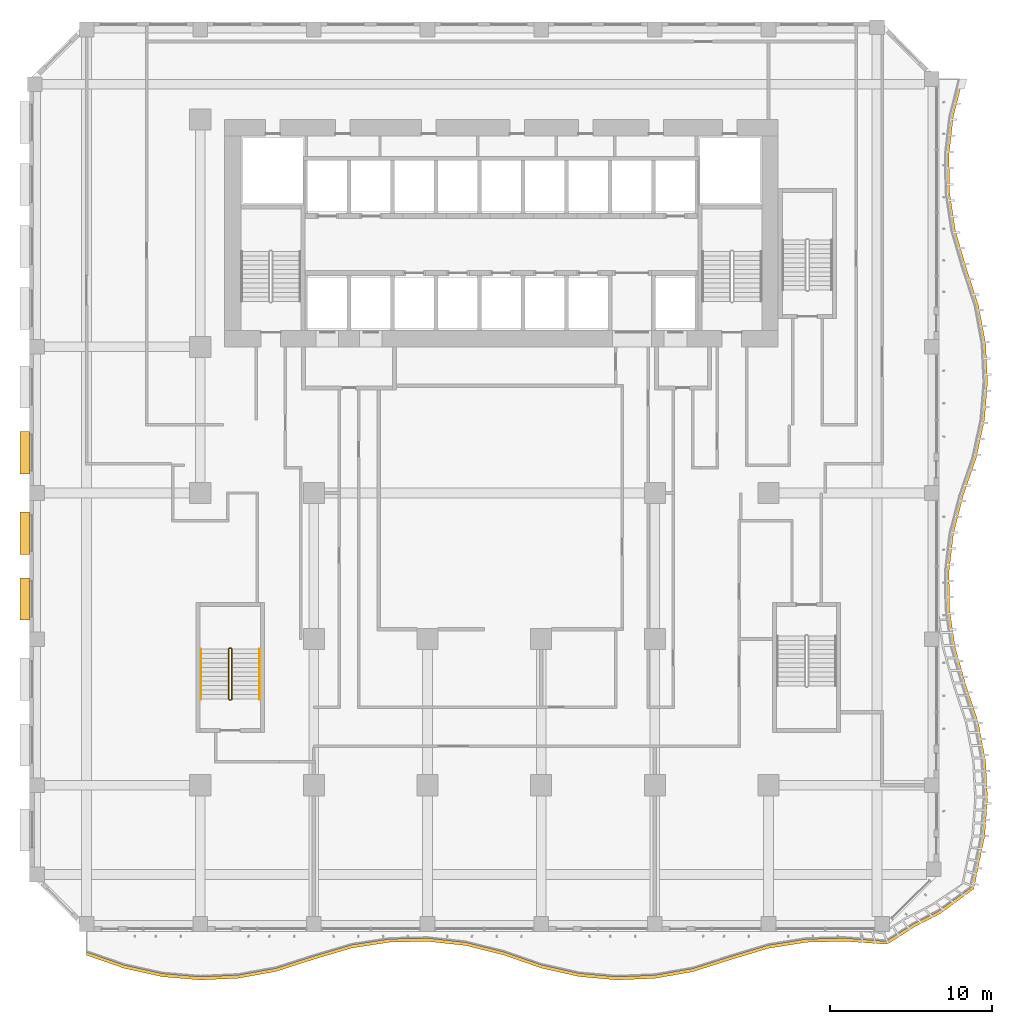
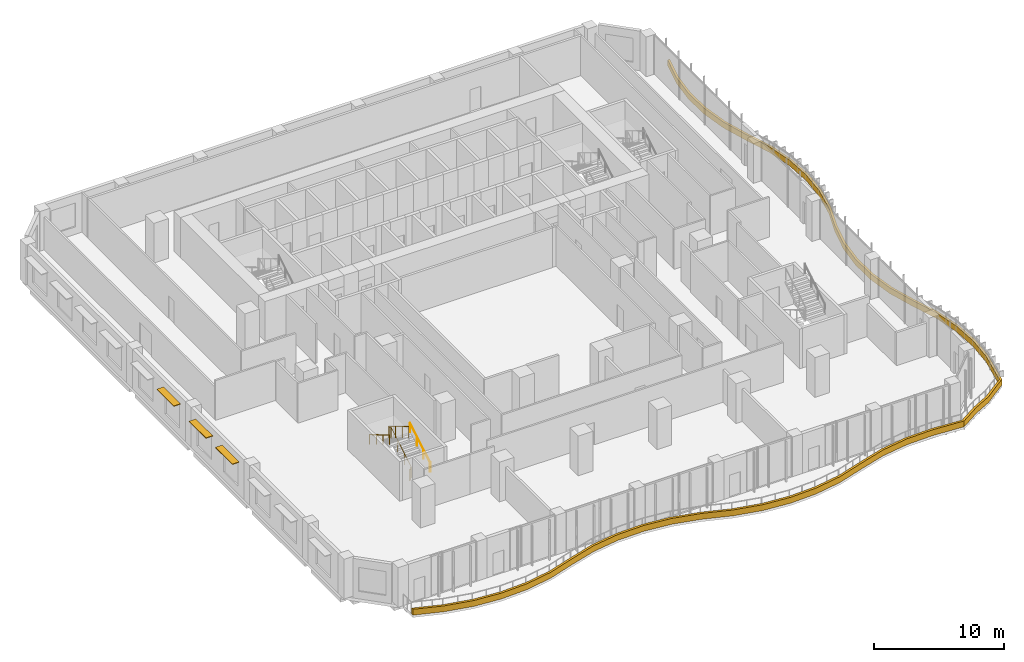
# One storey, part 20 of 27: 4 shading devices, 3 railings.
"""IFC4 building model written with IfcOpenShell, lengths in metres."""

from ifc_helpers import new_model, si_unit, direction, frame, origin, origin_2d, place, context, subcontext, project, spatial, polyline, rectangle, circle, outline, extrude, source, transform, mapped, material, layer, layer_set, type_object, element, save


model = new_model("IFC4")

# Units and contexts
model_context = context("Model", 3, precision=1e-05, world=origin(), true_north=direction((0.0, 1.0)))
body_context = subcontext(model_context, "Body", "Model", "MODEL_VIEW")
ifc_project = project(units=[si_unit("LENGTHUNIT", "METRE"), si_unit("AREAUNIT", "SQUARE_METRE"), si_unit("VOLUMEUNIT", "CUBIC_METRE"), si_unit("PLANEANGLEUNIT", "RADIAN"), si_unit("MASSUNIT", "GRAM", prefix="KILO")], contexts=[model_context])

# Site, building, storey
site_placement = place(None, origin())
site = spatial("IfcSite", under=ifc_project, at=site_placement, CompositionType="ELEMENT")
building_placement = place(site_placement, origin())
building = spatial("IfcBuilding", under=site, at=building_placement, Name="Kilnfold Tower and Market Hall", CompositionType="ELEMENT")
storey_placement = place(building_placement, frame((0.0, 0.0, 47.0)))
storey = spatial("IfcBuildingStorey", under=building, at=storey_placement, Name="L10", CompositionType="ELEMENT", Elevation=47.0)

# Railings
ifc_material_1 = material(Name="Stainless steel 316", Category="steel")
railing_type_1 = type_object("IfcRailingType", Name="CORE STAIR GUARD 1100", PredefinedType="GUARDRAIL", material=ifc_material_1)
railing_1_placement = place(storey_placement, frame((-15.699951171875, -13.75, 0.0)))
element("IfcRailing", 1, at=railing_1_placement, inside=storey, type_object=railing_type_1, Name="L10 ST3 stair guard 1", PredefinedType="GUARDRAIL", context=body_context, shape_type="SweptSolid", body=[
    extrude(circle(Radius=0.02392578125, at=origin_2d()), frame((0.0, 0.0, 1.076171875), z_axis=(1.0, 0.0, 0.0), x_axis=(0.0, 1.0, 0.0)), (0.0, 0.0, 1.0), 0.099853515625),
    extrude(circle(Radius=0.02392578125, at=origin_2d()), frame((0.099853515625, 0.0, 1.076171875), z_axis=(0.27628659633, 0.27628659633, 0.920506074601), x_axis=(-0.707106781187, 0.707106781187, 0.0)), (0.0, 0.0, 1.0), 0.18115234375),
    extrude(circle(Radius=0.02392578125, at=origin_2d()), frame((0.14990234375, 0.050048828125, 1.24267578125), z_axis=(0.0, 0.859290745958, 0.51148745235), x_axis=(-1.0, 0.0, 0.0)), (0.0, 0.0, 1.0), 3.584228515625),
    extrude(circle(Radius=0.02392578125, at=origin_2d()), frame((0.14990234375, 3.1298828125, 3.076171875), z_axis=(-0.707106781187, 0.707106781187, 0.0), x_axis=(-0.707106781187, -0.707106781187, 0.0)), (0.0, 0.0, 1.0), 0.07080078125),
    extrude(circle(Radius=0.02392578125, at=origin_2d()), frame((0.099853515625, 3.179931640625, 3.076171875), z_axis=(-1.0, 0.0, 0.0), x_axis=(0.0, -1.0, 0.0)), (0.0, 0.0, 1.0), 0.099853515625),
    extrude(circle(Radius=0.02392578125, at=origin_2d()), frame((0.0, 3.179931640625, 3.076171875), z_axis=(-0.27628659633, -0.27628659633, 0.920506074601), x_axis=(0.707106781187, -0.707106781187, 0.0)), (0.0, 0.0, 1.0), 0.18115234375),
    extrude(circle(Radius=0.02392578125, at=origin_2d()), frame((-0.050048828125, 3.1298828125, 3.24267578125), z_axis=(0.0, -0.859290745958, 0.51148745235), x_axis=(1.0, 0.0, 0.0)), (0.0, 0.0, 1.0), 3.584228515625),
    extrude(circle(Radius=0.02099609375, at=origin_2d()), origin(), (0.0, 0.0, 1.0), 1.052001953125),
    extrude(circle(Radius=0.02099609375, at=origin_2d()), frame((0.099853515625, 0.0, 0.0)), (0.0, 0.0, 1.0), 1.052001953125),
    extrude(circle(Radius=0.02099609375, at=origin_2d()), frame((0.14990234375, 0.050048828125, 0.166748046875)), (0.0, 0.0, 1.0), 1.052001953125),
    extrude(circle(Radius=0.02099609375, at=origin_2d()), frame((0.14990234375, 1.07666015625, 0.77783203125)), (0.0, 0.0, 1.0), 1.052001953125),
    extrude(circle(Radius=0.02099609375, at=origin_2d()), frame((0.14990234375, 2.103271484375, 1.388916015625)), (0.0, 0.0, 1.0), 1.052001953125),
    extrude(circle(Radius=0.02099609375, at=origin_2d()), frame((0.14990234375, 3.1298828125, 2.0)), (0.0, 0.0, 1.0), 1.052001953125),
    extrude(circle(Radius=0.02099609375, at=origin_2d()), frame((0.099853515625, 3.179931640625, 2.0)), (0.0, 0.0, 1.0), 1.052001953125),
    extrude(circle(Radius=0.02099609375, at=origin_2d()), frame((0.0, 3.179931640625, 2.0)), (0.0, 0.0, 1.0), 1.052001953125),
    extrude(circle(Radius=0.02099609375, at=origin_2d()), frame((-0.050048828125, 3.1298828125, 2.166748046875)), (0.0, 0.0, 1.0), 1.052001953125),
    extrude(circle(Radius=0.02099609375, at=origin_2d()), frame((-0.050048828125, 2.103271484375, 2.77783203125)), (0.0, 0.0, 1.0), 1.052001953125),
    extrude(circle(Radius=0.02099609375, at=origin_2d()), frame((-0.050048828125, 1.07666015625, 3.388916015625)), (0.0, 0.0, 1.0), 1.052001953125),
    extrude(circle(Radius=0.02099609375, at=origin_2d()), frame((-0.050048828125, 0.050048828125, 4.0)), (0.0, 0.0, 1.0), 1.052001953125),
])
ifc_material_2 = material(Name="Stainless steel 316", Category="steel")
railing_type_2 = type_object("IfcRailingType", Name="CORE STAIR HANDRAIL 900", PredefinedType="HANDRAIL", material=ifc_material_2)
railing_2_placement = place(storey_placement, frame((-13.85009765625, -13.699951171875, 0.166748046875)))
element("IfcRailing", 2, at=railing_2_placement, inside=storey, type_object=railing_type_2, Name="L10 ST3 stair handrail 1", PredefinedType="HANDRAIL", context=body_context, shape_type="SweptSolid", body=[
    extrude(circle(Radius=0.02392578125, at=origin_2d()), frame((0.0, 0.0, 0.8759765625), z_axis=(0.0, 0.859290745958, 0.51148745235), x_axis=(-1.0, 0.0, 0.0)), (0.0, 0.0, 1.0), 3.584228515625),
    extrude(circle(Radius=0.02099609375, at=origin_2d()), origin(), (0.0, 0.0, 1.0), 0.851806640625),
    extrude(circle(Radius=0.02099609375, at=origin_2d()), frame((0.0, 1.026611328125, 0.611083984375)), (0.0, 0.0, 1.0), 0.851806640625),
    extrude(circle(Radius=0.02099609375, at=origin_2d()), frame((0.0, 2.05322265625, 1.22216796875)), (0.0, 0.0, 1.0), 0.851806640625),
    extrude(circle(Radius=0.02099609375, at=origin_2d()), frame((0.0, 3.079833984375, 1.833251953125)), (0.0, 0.0, 1.0), 0.851806640625),
])
railing_3_placement = place(storey_placement, frame((-17.449951171875, -10.6201171875, 2.166748046875)))
element("IfcRailing", 3, at=railing_3_placement, inside=storey, type_object=railing_type_2, Name="L10 ST3 stair handrail 2", PredefinedType="HANDRAIL", context=body_context, shape_type="SweptSolid", body=[
    extrude(circle(Radius=0.02392578125, at=origin_2d()), frame((0.0, 0.0, 0.8759765625), z_axis=(0.0, -0.859290745958, 0.51148745235), x_axis=(1.0, 0.0, 0.0)), (0.0, 0.0, 1.0), 3.584228515625),
    extrude(circle(Radius=0.02099609375, at=origin_2d()), origin(), (0.0, 0.0, 1.0), 0.851806640625),
    extrude(circle(Radius=0.02099609375, at=origin_2d()), frame((0.0, -1.026611328125, 0.611083984375)), (0.0, 0.0, 1.0), 0.851806640625),
    extrude(circle(Radius=0.02099609375, at=origin_2d()), frame((0.0, -2.05322265625, 1.22216796875)), (0.0, 0.0, 1.0), 0.851806640625),
    extrude(circle(Radius=0.02099609375, at=origin_2d()), frame((0.0, -3.079833984375, 1.833251953125)), (0.0, 0.0, 1.0), 0.851806640625),
])

# Shading devices
ifc_material_3 = material(Name="Terracotta", Category="masonry")
ifc_layer_1 = layer(ifc_material_3, 0.06005859375)
ifc_layer_set_1 = layer_set([ifc_layer_1], Name="Terracotta")
shading_device_type_1 = type_object("IfcShadingDeviceType", Name="SUNSHADE BLADE 600", PredefinedType="USERDEFINED", material=ifc_layer_set_1)
shared_shape_1 = source(origin(), body_context, "Body", "SweptSolid", [
    extrude(rectangle(XDim=2.60009765625, YDim=0.60009765625, at=origin_2d()), origin(), (0.0, 0.0, 1.0), 0.06005859375),
])
for number, where, z_axis, x_axis, name in (
    (4, (-28.300048828125, 1.47509765625, 3.030029296875), (0.0, 0.0, 1.0), (0.0, -1.0, 0.0), "Sunshade L10 W"),
    (5, (-28.300048828125, -3.47509765625, 3.030029296875), (0.0, 0.0, 1.0), (0.0, -1.0, 0.0), "Sunshade L10 W"),
    (6, (-28.300048828125, -7.52490234375, 3.030029296875), (0.0, 0.0, 1.0), (0.0, -1.0, 0.0), "Sunshade L10 W"),
):
    element("IfcShadingDevice", number, at=place(storey_placement, frame(where, z_axis=z_axis, x_axis=x_axis)), inside=storey, type_object=shading_device_type_1, Name=name, ObjectType="SUNSHADE", PredefinedType="USERDEFINED", context=body_context, shape_type="MappedRepresentation", body=[
        mapped(shared_shape_1, transform((0.0, 0.0, 0.0))),
    ])
ifc_material_4 = material(Name="Precast concrete C50/60", Category="concrete")
ifc_layer_2 = layer(ifc_material_4, 0.550048828125)
ifc_layer_set_2 = layer_set([ifc_layer_2], Name="Precast concrete C50/60")
shading_device_type_2 = type_object("IfcShadingDeviceType", Name="BALCONY UPSTAND 550", PredefinedType="USERDEFINED", material=ifc_layer_set_2)
shared_shape_2 = source(origin(), body_context, "Body", "SweptSolid", [
    extrude(outline(polyline([(-24.5, -29.473388671875), (-22.166748046875, -30.279541015625), (-19.833251953125, -30.796630859375), (-17.5, -30.99658203125), (-15.166748046875, -30.889892578125), (-12.833251953125, -30.47119140625), (-10.5, -29.719482421875), (-8.166748046875, -29.02880859375), (-5.833251953125, -28.66796875), (-3.5, -28.616943359375), (-1.166748046875, -28.873291015625), (1.166748046875, -29.450439453125), (3.5, -30.258544921875), (5.833251953125, -30.78564453125), (8.166748046875, -30.9951171875), (10.5, -30.897705078125), (12.833251953125, -30.488525390625), (15.166748046875, -29.74609375), (17.5, -29.044677734375), (19.833251953125, -28.67431640625), (22.166748046875, -28.614013671875), (24.829345703125, -28.79541015625), (26.534423828125, -27.701171875), (28.08056640625, -26.9140625), (30.143798828125, -25.387939453125), (30.817626953125, -22.166748046875), (30.998779296875, -19.833251953125), (30.87353515625, -17.5), (30.435302734375, -15.166748046875), (29.66748046875, -12.833251953125), (28.997802734375, -10.5), (28.656005859375, -8.166748046875), (28.623779296875, -5.833251953125), (28.898681640625, -3.5), (29.49658203125, -1.166748046875), (30.300048828125, 1.166748046875), (30.807373046875, 3.5), (30.997802734375, 5.833251953125), (30.8818359375, 8.166748046875), (30.453369140625, 10.5), (29.693359375, 12.833251953125), (29.01318359375, 15.166748046875), (28.661865234375, 17.5), (28.6201171875, 19.833251953125), (28.885986328125, 22.166748046875), (29.473388671875, 24.5), (29.2734375, 24.5), (28.685791015625, 22.166748046875), (28.420166015625, 19.833251953125), (28.4619140625, 17.5), (28.81298828125, 15.166748046875), (29.493408203125, 12.833251953125), (30.25341796875, 10.5), (30.681884765625, 8.166748046875), (30.7978515625, 5.833251953125), (30.607421875, 3.5), (30.10009765625, 1.166748046875), (29.29638671875, -1.166748046875), (28.69873046875, -3.5), (28.423583984375, -5.833251953125), (28.4560546875, -8.166748046875), (28.7978515625, -10.5), (29.467529296875, -12.833251953125), (30.235107421875, -15.166748046875), (30.673583984375, -17.5), (30.798583984375, -19.833251953125), (30.61767578125, -22.166748046875), (29.958984375, -25.3115234375), (27.939208984375, -26.772705078125), (26.39306640625, -27.559814453125), (24.7529296875, -28.610595703125), (22.166748046875, -28.4140625), (19.833251953125, -28.47412109375), (17.5, -28.8447265625), (15.166748046875, -29.546142578125), (12.833251953125, -30.28857421875), (10.5, -30.697509765625), (8.166748046875, -30.794921875), (5.833251953125, -30.585693359375), (3.5, -30.05859375), (1.166748046875, -29.25048828125), (-1.166748046875, -28.673095703125), (-3.5, -28.4169921875), (-5.833251953125, -28.468017578125), (-8.166748046875, -28.828857421875), (-10.5, -29.51953125), (-12.833251953125, -30.27099609375), (-15.166748046875, -30.68994140625), (-17.5, -30.79638671875), (-19.833251953125, -30.5966796875), (-22.166748046875, -30.07958984375), (-24.5, -29.2734375), (-24.5, -29.473388671875)])), origin(), (0.0, 0.0, 1.0), 0.550048828125),
])
shading_device_placement = place(storey_placement, origin())
element("IfcShadingDevice", 7, at=shading_device_placement, inside=storey, type_object=shading_device_type_2, Name="Balcony fascia L10", ObjectType="FASCIA", PredefinedType="USERDEFINED", context=body_context, shape_type="MappedRepresentation", body=[
    mapped(shared_shape_2, transform((0.0, 0.0, 0.0))),
])

save(model, "model.ifc")
